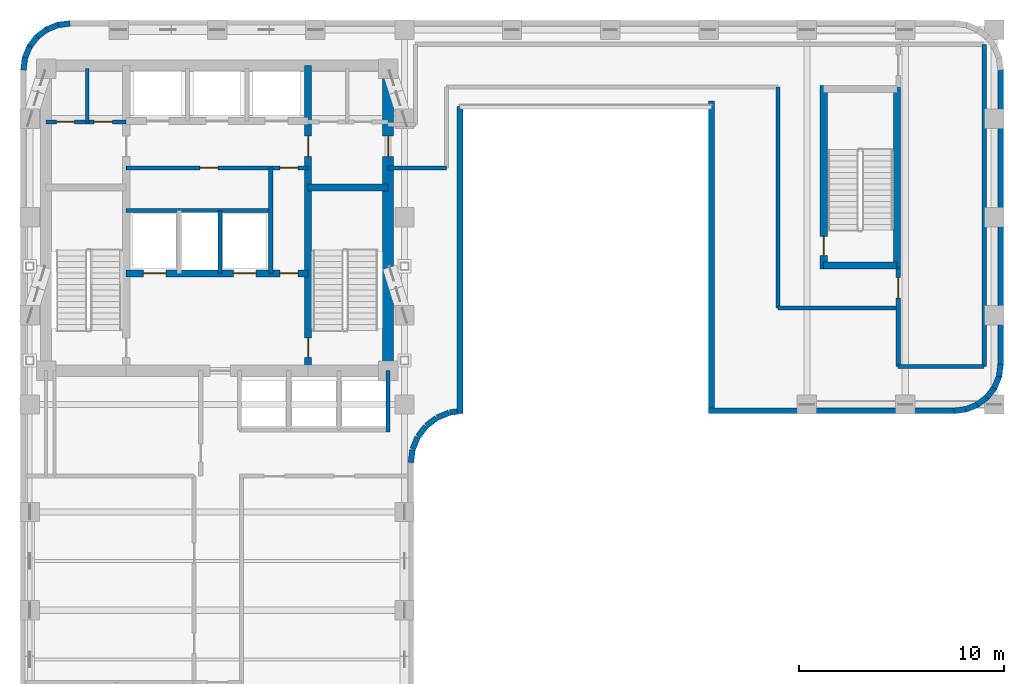
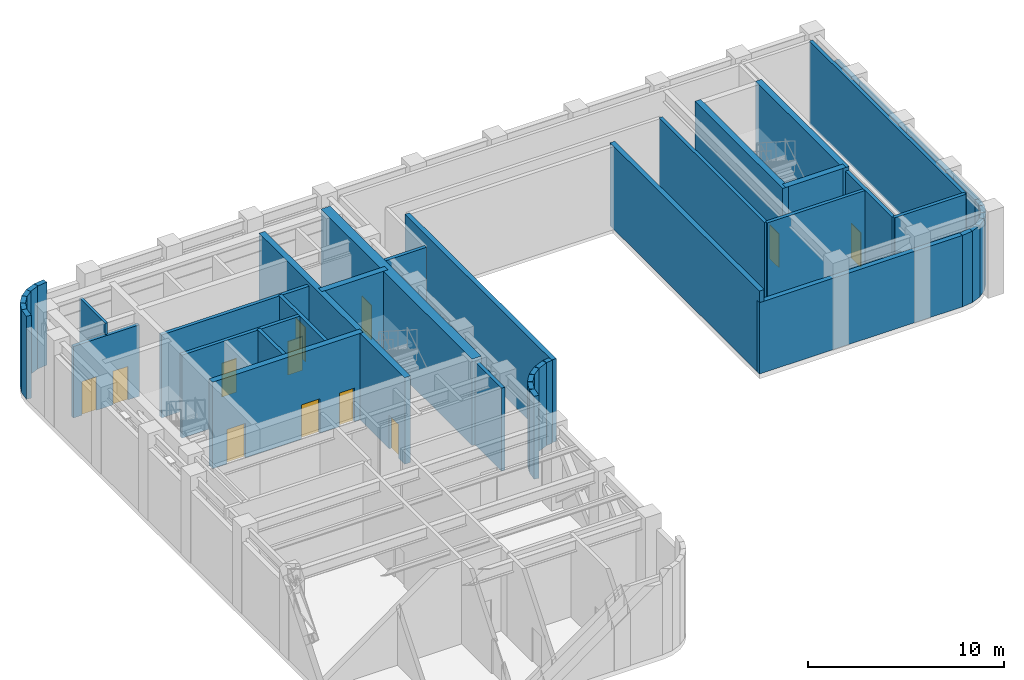
# One storey, part 6 of 9: 42 walls, 12 doors, 12 openings.
"""IFC4 building model written with IfcOpenShell, lengths in metres."""

from ifc_helpers import new_model, si_unit, direction, frame, frame_2d, origin, place, context, subcontext, project, spatial, rectangle, extrude, material, layer, layer_set, type_object, element, fill, save


model = new_model("IFC4")

# Units and contexts
model_context = context("Model", 3, precision=1e-05, world=origin(), true_north=direction((0.0, 1.0)))
body_context = subcontext(model_context, "Body", "Model", "MODEL_VIEW")
ifc_project = project(units=[si_unit("LENGTHUNIT", "METRE"), si_unit("AREAUNIT", "SQUARE_METRE"), si_unit("VOLUMEUNIT", "CUBIC_METRE"), si_unit("PLANEANGLEUNIT", "RADIAN"), si_unit("MASSUNIT", "GRAM", prefix="KILO")], contexts=[model_context])

# Site, building, storey
site_placement = place(None, origin())
site = spatial("IfcSite", under=ifc_project, at=site_placement, CompositionType="ELEMENT")
building_placement = place(site_placement, origin())
building = spatial("IfcBuilding", under=site, at=building_placement, Name="Orvandelia Arch Residences", CompositionType="ELEMENT")
storey_placement = place(building_placement, frame((0.0, 0.0, 198.39990234375)))
storey = spatial("IfcBuildingStorey", under=building, at=storey_placement, Name="L52", CompositionType="ELEMENT", Elevation=198.39990234375)

# Wall, openings, doors
ifc_material_1 = material(Name="Concrete C50/60", Category="concrete")
ifc_layer_1 = layer(ifc_material_1, 0.35009765625, Name="Concrete C50/60", Category="concrete")
ifc_layer_set_1 = layer_set([ifc_layer_1], Name="Concrete C50/60")
wall_type_1 = type_object("IfcWallType", Name="WL-CORE-350", PredefinedType="SHEAR", material=ifc_layer_set_1)
wall_1_placement = place(storey_placement, frame((18.840087890625, 30.89990234375, 0.0), z_axis=(0.0, 0.0, 1.0), x_axis=(0.0, 1.0, 0.0)))
wall_1 = element("IfcWall", 1, at=wall_1_placement, inside=storey, type_object=wall_type_1, Name="Core Shear Wall L52-WEB2", PredefinedType="SHEAR", context=body_context, shape_type="SweptSolid", body=[
    extrude(rectangle(XDim=14.900146484375, YDim=0.35009765625, at=frame_2d((7.4501953125, 0.0))), origin(), (0.0, 0.0, 1.0), 5.400146484375),
])
opening_1_placement = place(wall_1_placement, frame((0.64990234375, 0.0, 0.0)))
opening_1 = element("IfcOpeningElement", 2, at=opening_1_placement, cuts=wall_1, Name="Opening D7", PredefinedType="OPENING", context=body_context, shape_type="SweptSolid", body=[
    extrude(rectangle(XDim=0.949951171875, YDim=2.10009765625, at=frame_2d((0.47509765625, 1.050048828125))), frame((0.0, 0.18505859375, 0.0), z_axis=(0.0, -1.0, 0.0), x_axis=(1.0, 0.0, 0.0)), (0.0, 0.0, 1.0), 0.3701171875),
])
opening_2_placement = place(wall_1_placement, frame((10.449951171875, 0.0, 0.0)))
opening_2 = element("IfcOpeningElement", 3, at=opening_2_placement, cuts=wall_1, Name="Opening D6", PredefinedType="OPENING", context=body_context, shape_type="SweptSolid", body=[
    extrude(rectangle(XDim=1.0, YDim=2.14990234375, at=frame_2d((0.5, 1.074951171875))), frame((0.0, 0.18505859375, 0.0), z_axis=(0.0, -1.0, 0.0), x_axis=(1.0, 0.0, 0.0)), (0.0, 0.0, 1.0), 0.3701171875),
])
ifc_material_2 = material(Name="Smokeproof Painted Steel Fire Door", Category="steel")
door_type_1 = type_object("IfcDoorType", Name="DR-FD60-1000", OperationType="NOTDEFINED", PredefinedType="DOOR", material=ifc_material_2)
door_1_placement = place(opening_2_placement, origin())
door_1 = element("IfcDoor", 4, at=door_1_placement, inside=storey, type_object=door_type_1, Name="High-Rise Lift Hall East Vestibule Door L52", OperationType="SINGLE_SWING_RIGHT", OverallHeight=2.14990234375, OverallWidth=1.0, PredefinedType="DOOR", context=body_context, shape_type="SweptSolid", body=[
    extrude(rectangle(XDim=1.0, YDim=2.14990234375, at=frame_2d((0.5, 1.074951171875))), frame((0.0, 0.02490234375, 0.0), z_axis=(0.0, -1.0, 0.0), x_axis=(1.0, 0.0, 0.0)), (0.0, 0.0, 1.0), 0.050048828125),
])
fill(opening_2, door_1)
ifc_material_3 = material(Name="Pressurised Stairwell Fire Door")
door_type_2 = type_object("IfcDoorType", Name="DR-STAIR-950", OperationType="NOTDEFINED", PredefinedType="DOOR", material=ifc_material_3)
door_2_placement = place(opening_1_placement, origin())
door_2 = element("IfcDoor", 5, at=door_2_placement, inside=storey, type_object=door_type_2, Name="Stairwell ST-2 Fire Door L52", OperationType="SINGLE_SWING_RIGHT", OverallHeight=2.10009765625, OverallWidth=0.949951171875, PredefinedType="DOOR", context=body_context, shape_type="SweptSolid", body=[
    extrude(rectangle(XDim=0.949951171875, YDim=2.10009765625, at=frame_2d((0.47509765625, 1.050048828125))), frame((0.0, 0.02490234375, 0.0), z_axis=(0.0, -1.0, 0.0), x_axis=(1.0, 0.0, 0.0)), (0.0, 0.0, 1.0), 0.050048828125),
])
fill(opening_1, door_2)

# Wall
wall_2_placement = place(storey_placement, frame((18.840087890625, 39.85009765625, 0.0), z_axis=(0.0, 0.0, 1.0), x_axis=(1.0, 0.0, 0.0)))
element("IfcWall", 6, at=wall_2_placement, inside=storey, type_object=wall_type_1, Name="Core Shear Wall L52-HZ2", PredefinedType="SHEAR", context=body_context, shape_type="SweptSolid", body=[
    extrude(rectangle(XDim=3.909912109375, YDim=0.35009765625, at=frame_2d((1.955078125, 0.0))), origin(), (0.0, 0.0, 1.0), 5.400146484375),
])

# Wall, openings, doors
wall_3_placement = place(storey_placement, frame((9.9599609375, 35.64990234375, 0.0), z_axis=(0.0, 0.0, 1.0), x_axis=(1.0, 0.0, 0.0)))
wall_3 = element("IfcWall", 7, at=wall_3_placement, inside=storey, type_object=wall_type_1, Name="Core Shear Wall L52-HZ3", PredefinedType="SHEAR", context=body_context, shape_type="SweptSolid", body=[
    extrude(rectangle(XDim=8.880126953125, YDim=0.35009765625, at=frame_2d((4.43994140625, 0.0))), origin(), (0.0, 0.0, 1.0), 5.400146484375),
])
opening_3_placement = place(wall_3_placement, frame((0.840087890625, 0.0, 0.0)))
opening_3 = element("IfcOpeningElement", 8, at=opening_3_placement, cuts=wall_3, Name="Opening FLD", PredefinedType="OPENING", context=body_context, shape_type="SweptSolid", body=[
    extrude(rectangle(XDim=1.10009765625, YDim=2.14990234375, at=frame_2d((0.550048828125, 1.074951171875))), frame((0.0, 0.18505859375, 0.0), z_axis=(0.0, -1.0, 0.0), x_axis=(1.0, 0.0, 0.0)), (0.0, 0.0, 1.0), 0.3701171875),
])
opening_4_placement = place(wall_3_placement, frame((5.239990234375, 0.0, 0.0)))
opening_4 = element("IfcOpeningElement", 9, at=opening_4_placement, cuts=wall_3, Name="Opening FLD", PredefinedType="OPENING", context=body_context, shape_type="SweptSolid", body=[
    extrude(rectangle(XDim=1.10009765625, YDim=2.14990234375, at=frame_2d((0.550048828125, 1.074951171875))), frame((0.0, 0.18505859375, 0.0), z_axis=(0.0, -1.0, 0.0), x_axis=(1.0, 0.0, 0.0)), (0.0, 0.0, 1.0), 0.3701171875),
])
opening_5_placement = place(wall_3_placement, frame((7.5, 0.0, 0.0)))
opening_5 = element("IfcOpeningElement", 10, at=opening_5_placement, cuts=wall_3, Name="Opening D5", PredefinedType="OPENING", context=body_context, shape_type="SweptSolid", body=[
    extrude(rectangle(XDim=0.8798828125, YDim=2.10009765625, at=frame_2d((0.43994140625, 1.050048828125))), frame((0.0, 0.18505859375, 0.0), z_axis=(0.0, -1.0, 0.0), x_axis=(1.0, 0.0, 0.0)), (0.0, 0.0, 1.0), 0.3701171875),
])
ifc_material_4 = material(Name="Firefighting Lift Stainless Sliding Door")
door_type_3 = type_object("IfcDoorType", Name="DR-FLFT-1100", OperationType="NOTDEFINED", PredefinedType="DOOR", material=ifc_material_4)
door_3_placement = place(opening_3_placement, origin())
door_3 = element("IfcDoor", 11, at=door_3_placement, inside=storey, type_object=door_type_3, Name="Firefighting Lift Landing Door FLD-FL1-L52", OperationType="SLIDING_TO_LEFT", OverallHeight=2.14990234375, OverallWidth=1.10009765625, PredefinedType="DOOR", context=body_context, shape_type="SweptSolid", body=[
    extrude(rectangle(XDim=1.10009765625, YDim=2.14990234375, at=frame_2d((0.550048828125, 1.074951171875))), frame((0.0, 0.02490234375, 0.0), z_axis=(0.0, -1.0, 0.0), x_axis=(1.0, 0.0, 0.0)), (0.0, 0.0, 1.0), 0.050048828125),
])
fill(opening_3, door_3)
door_4_placement = place(opening_4_placement, origin())
door_4 = element("IfcDoor", 12, at=door_4_placement, inside=storey, type_object=door_type_3, Name="Firefighting Lift Landing Door FLD-FL2-L52", OperationType="SLIDING_TO_RIGHT", OverallHeight=2.14990234375, OverallWidth=1.10009765625, PredefinedType="DOOR", context=body_context, shape_type="SweptSolid", body=[
    extrude(rectangle(XDim=1.10009765625, YDim=2.14990234375, at=frame_2d((0.550048828125, 1.074951171875))), frame((0.0, 0.02490234375, 0.0), z_axis=(0.0, -1.0, 0.0), x_axis=(1.0, 0.0, 0.0)), (0.0, 0.0, 1.0), 0.050048828125),
])
fill(opening_4, door_4)
ifc_material_5 = material(Name="Painted Galvanised Steel Service Door", Category="steel")
door_type_4 = type_object("IfcDoorType", Name="DR-SRV-880", OperationType="NOTDEFINED", PredefinedType="DOOR", material=ifc_material_5)
door_5_placement = place(opening_5_placement, origin())
door_5 = element("IfcDoor", 13, at=door_5_placement, inside=storey, type_object=door_type_4, Name="Core Stairway Passage South Fire Door L52", OperationType="SINGLE_SWING_LEFT", OverallHeight=2.10009765625, OverallWidth=0.8798828125, PredefinedType="DOOR", context=body_context, shape_type="SweptSolid", body=[
    extrude(rectangle(XDim=0.8798828125, YDim=2.10009765625, at=frame_2d((0.43994140625, 1.050048828125))), frame((0.0, 0.02490234375, 0.0), z_axis=(0.0, -1.0, 0.0), x_axis=(1.0, 0.0, 0.0)), (0.0, 0.0, 1.0), 0.050048828125),
])
fill(opening_5, door_5)

# Wall, opening, door
wall_4_placement = place(storey_placement, frame((44.02001953125, 35.864990234375, 0.0), z_axis=(0.0, 0.0, 1.0), x_axis=(0.0, 1.0, 0.0)))
wall_4 = element("IfcWall", 14, at=wall_4_placement, inside=storey, type_object=wall_type_1, Name="East Stair Core Shear Wall L52-W", PredefinedType="SHEAR", context=body_context, shape_type="SweptSolid", body=[
    extrude(rectangle(XDim=8.969970703125, YDim=0.35009765625, at=frame_2d((4.48486328125, 0.0))), origin(), (0.0, 0.0, 1.0), 5.400146484375),
])
opening_6_placement = place(wall_4_placement, frame((0.64990234375, 0.0, 0.0)))
opening_6 = element("IfcOpeningElement", 15, at=opening_6_placement, cuts=wall_4, Name="Opening D7", PredefinedType="OPENING", context=body_context, shape_type="SweptSolid", body=[
    extrude(rectangle(XDim=0.949951171875, YDim=2.10009765625, at=frame_2d((0.47509765625, 1.050048828125))), frame((0.0, 0.18505859375, 0.0), z_axis=(0.0, -1.0, 0.0), x_axis=(1.0, 0.0, 0.0)), (0.0, 0.0, 1.0), 0.3701171875),
])
door_6_placement = place(opening_6_placement, origin())
door_6 = element("IfcDoor", 16, at=door_6_placement, inside=storey, type_object=door_type_2, Name="East Stairwell ST-3 Fire Door L52", OperationType="SINGLE_SWING_LEFT", OverallHeight=2.10009765625, OverallWidth=0.949951171875, PredefinedType="DOOR", context=body_context, shape_type="SweptSolid", body=[
    extrude(rectangle(XDim=0.949951171875, YDim=2.10009765625, at=frame_2d((0.47509765625, 1.050048828125))), frame((0.0, 0.02490234375, 0.0), z_axis=(0.0, -1.0, 0.0), x_axis=(1.0, 0.0, 0.0)), (0.0, 0.0, 1.0), 0.050048828125),
])
fill(opening_6, door_6)

# Walls
wall_5_placement = place(storey_placement, frame((47.60009765625, 35.864990234375, 0.0), z_axis=(0.0, 0.0, 1.0), x_axis=(0.0, 1.0, 0.0)))
element("IfcWall", 17, at=wall_5_placement, inside=storey, type_object=wall_type_1, Name="East Stair Core Shear Wall L52-E", PredefinedType="SHEAR", context=body_context, shape_type="SweptSolid", body=[
    extrude(rectangle(XDim=8.969970703125, YDim=0.35009765625, at=frame_2d((4.48486328125, 0.0))), origin(), (0.0, 0.0, 1.0), 5.400146484375),
])
wall_6_placement = place(storey_placement, frame((44.02001953125, 36.0400390625, 0.0), z_axis=(0.0, 0.0, 1.0), x_axis=(1.0, 0.0, 0.0)))
element("IfcWall", 18, at=wall_6_placement, inside=storey, type_object=wall_type_1, Name="East Stair Core Shear Wall L52-S", PredefinedType="SHEAR", context=body_context, shape_type="SweptSolid", body=[
    extrude(rectangle(XDim=3.580078125, YDim=0.35009765625, at=frame_2d((1.7900390625, 0.0))), origin(), (0.0, 0.0, 1.0), 5.400146484375),
])

# Wall, opening, door
ifc_material_6 = material(Name="Concrete C60/75", Category="concrete")
ifc_layer_2 = layer(ifc_material_6, 0.550048828125, Name="Concrete C60/75", Category="concrete")
ifc_layer_set_2 = layer_set([ifc_layer_2], Name="Concrete C60/75")
wall_type_2 = type_object("IfcWallType", Name="WL-CORE-550", PredefinedType="SHEAR", material=ifc_layer_set_2)
wall_7_placement = place(storey_placement, frame((22.75, 30.625, 0.0), z_axis=(0.0, 0.0, 1.0), x_axis=(0.0, 1.0, 0.0)))
wall_7 = element("IfcWall", 19, at=wall_7_placement, inside=storey, type_object=wall_type_2, Name="Core Shear Wall L52-E", PredefinedType="SHEAR", context=body_context, shape_type="SweptSolid", body=[
    extrude(rectangle(XDim=15.449951171875, YDim=0.550048828125, at=frame_2d((7.72509765625, 0.0))), origin(), (0.0, 0.0, 1.0), 5.400146484375),
])
opening_7_placement = place(wall_7_placement, frame((10.72509765625, 0.0, 0.0)))
opening_7 = element("IfcOpeningElement", 20, at=opening_7_placement, cuts=wall_7, Name="Opening D6", PredefinedType="OPENING", context=body_context, shape_type="SweptSolid", body=[
    extrude(rectangle(XDim=1.0, YDim=2.14990234375, at=frame_2d((0.5, 1.074951171875))), frame((0.0, 0.28515625, 0.0), z_axis=(0.0, -1.0, 0.0), x_axis=(1.0, 0.0, 0.0)), (0.0, 0.0, 1.0), 0.570068359375),
])
door_7_placement = place(opening_7_placement, origin())
door_7 = element("IfcDoor", 21, at=door_7_placement, inside=storey, type_object=door_type_1, Name="Core East Corridor Link Door L52", OperationType="SINGLE_SWING_LEFT", OverallHeight=2.14990234375, OverallWidth=1.0, PredefinedType="DOOR", context=body_context, shape_type="SweptSolid", body=[
    extrude(rectangle(XDim=1.0, YDim=2.14990234375, at=frame_2d((0.5, 1.074951171875))), frame((0.0, 0.02490234375, 0.0), z_axis=(0.0, -1.0, 0.0), x_axis=(1.0, 0.0, 0.0)), (0.0, 0.0, 1.0), 0.050048828125),
])
fill(opening_7, door_7)

# Walls
ifc_material_7 = material(Name="Fire-Rated Corridor Partition")
ifc_layer_3 = layer(ifc_material_7, 0.199951171875, Name="Fire-Rated Corridor Partition")
ifc_layer_set_3 = layer_set([ifc_layer_3], Name="Fire-Rated Corridor Partition")
wall_type_3 = type_object("IfcWallType", Name="WL-CORR-200", PredefinedType="PARTITIONING", material=ifc_layer_set_3)
wall_8_placement = place(storey_placement, frame((22.75, 40.800048828125, 0.0), z_axis=(0.0, 0.0, 1.0), x_axis=(1.0, 0.0, 0.0)))
element("IfcWall", 22, at=wall_8_placement, inside=storey, type_object=wall_type_3, Name="Interior Partition Wall WL-L52-ERL-KS", PredefinedType="PARTITIONING", context=body_context, shape_type="SweptSolid", body=[
    extrude(rectangle(XDim=2.85009765625, YDim=0.199951171875, at=frame_2d((1.425048828125, 0.0))), origin(), (0.0, 0.0, 1.0), 5.18017578125),
])
wall_9_placement = place(storey_placement, frame((41.780029296875, 33.9599609375, 0.0), z_axis=(0.0, 0.0, 1.0), x_axis=(0.0, 1.0, 0.0)))
element("IfcWall", 23, at=wall_9_placement, inside=storey, type_object=wall_type_3, Name="Interior Partition Wall WL-L52-ERL-SW", PredefinedType="PARTITIONING", context=body_context, shape_type="SweptSolid", body=[
    extrude(rectangle(XDim=10.800048828125, YDim=0.199951171875, at=frame_2d((5.39990234375, 0.0))), origin(), (0.0, 0.0, 1.0), 5.18017578125),
])
wall_10_placement = place(storey_placement, frame((41.780029296875, 33.9599609375, 0.0), z_axis=(0.0, 0.0, 1.0), x_axis=(1.0, 0.0, 0.0)))
element("IfcWall", 24, at=wall_10_placement, inside=storey, type_object=wall_type_3, Name="Interior Partition Wall WL-L52-ERL-SS", PredefinedType="PARTITIONING", context=body_context, shape_type="SweptSolid", body=[
    extrude(rectangle(XDim=5.8798828125, YDim=0.199951171875, at=frame_2d((2.93994140625, 0.0))), origin(), (0.0, 0.0, 1.0), 5.18017578125),
])

# Wall, opening, door
wall_11_placement = place(storey_placement, frame((47.659912109375, 31.10009765625, 0.0), z_axis=(0.0, 0.0, 1.0), x_axis=(0.0, 1.0, 0.0)))
wall_11 = element("IfcWall", 25, at=wall_11_placement, inside=storey, type_object=wall_type_3, Name="Interior Partition Wall WL-L52-EREF-W2", PredefinedType="PARTITIONING", context=body_context, shape_type="SweptSolid", body=[
    extrude(rectangle(XDim=4.81982421875, YDim=0.199951171875, at=frame_2d((2.409912109375, 0.0))), origin(), (0.0, 0.0, 1.0), 5.18017578125),
])
opening_8_placement = place(wall_11_placement, frame((3.35009765625, 0.0, 0.0)))
opening_8 = element("IfcOpeningElement", 26, at=opening_8_placement, cuts=wall_11, Name="Opening D6", PredefinedType="OPENING", context=body_context, shape_type="SweptSolid", body=[
    extrude(rectangle(XDim=1.0, YDim=2.14990234375, at=frame_2d((0.5, 1.074951171875))), frame((0.0, 0.10986328125, 0.0), z_axis=(0.0, -1.0, 0.0), x_axis=(1.0, 0.0, 0.0)), (0.0, 0.0, 1.0), 0.219970703125),
])
door_8_placement = place(opening_8_placement, origin())
door_8 = element("IfcDoor", 27, at=door_8_placement, inside=storey, type_object=door_type_1, Name="East Refuge Safety Zone South Fire Door L52", OperationType="SINGLE_SWING_RIGHT", OverallHeight=2.14990234375, OverallWidth=1.0, PredefinedType="DOOR", context=body_context, shape_type="SweptSolid", body=[
    extrude(rectangle(XDim=1.0, YDim=2.14990234375, at=frame_2d((0.5, 1.074951171875))), frame((0.0, 0.02490234375, 0.0), z_axis=(0.0, -1.0, 0.0), x_axis=(1.0, 0.0, 0.0)), (0.0, 0.0, 1.0), 0.050048828125),
])
fill(opening_8, door_8)

# Walls
wall_12_placement = place(storey_placement, frame((51.860107421875, 31.10009765625, 0.0), z_axis=(0.0, 0.0, 1.0), x_axis=(0.0, 1.0, 0.0)))
element("IfcWall", 28, at=wall_12_placement, inside=storey, type_object=wall_type_3, Name="Interior Partition Wall WL-L52-EREF-E", PredefinedType="PARTITIONING", context=body_context, shape_type="SweptSolid", body=[
    extrude(rectangle(XDim=15.739990234375, YDim=0.199951171875, at=frame_2d((7.8701171875, 0.0))), origin(), (0.0, 0.0, 1.0), 5.18017578125),
])
wall_13_placement = place(storey_placement, frame((47.659912109375, 31.10009765625, 0.0), z_axis=(0.0, 0.0, 1.0), x_axis=(1.0, 0.0, 0.0)))
element("IfcWall", 29, at=wall_13_placement, inside=storey, type_object=wall_type_3, Name="Interior Partition Wall WL-L52-EREF-S", PredefinedType="PARTITIONING", context=body_context, shape_type="SweptSolid", body=[
    extrude(rectangle(XDim=4.2001953125, YDim=0.199951171875, at=frame_2d((2.10009765625, 0.0))), origin(), (0.0, 0.0, 1.0), 5.18017578125),
])
ifc_material_8 = material(Name="Precast concrete C40/50", Category="concrete")
ifc_layer_4 = layer(ifc_material_8, 0.280029296875, Name="Precast concrete C40/50", Category="concrete")
ifc_layer_set_4 = layer_set([ifc_layer_4], Name="Precast concrete C40/50")
wall_type_4 = type_object("IfcWallType", Name="WL-EXT-STONE-280", PredefinedType="STANDARD", material=ifc_layer_set_4)
for number, where, z_axis, x_axis, name in (
    (30, (4.938720703125, 45.581787109375, 0.0), (0.0, 0.0, 1.0), (0.130555323746, 0.9914410257, 0.0), "Coral-Limestone Precast Facade Wall L52-001"),
    (31, (5.010986328125, 46.16748046875, 0.0), (0.0, 0.0, 1.0), (0.382650053678, 0.92389335771, 0.0), "Coral-Limestone Precast Facade Wall L52-002"),
    (32, (5.232666015625, 46.71484375, 0.0), (0.0, 0.0, 1.0), (0.608693302629, 0.793405610854, 0.0), "Coral-Limestone Precast Facade Wall L52-003"),
    (33, (5.588134765625, 47.18603515625, 0.0), (0.0, 0.0, 1.0), (0.793405610854, 0.608693302629, 0.0), "Coral-Limestone Precast Facade Wall L52-004"),
):
    element("IfcWall", number, at=place(storey_placement, frame(where, z_axis=z_axis, x_axis=x_axis)), inside=storey, type_object=wall_type_4, Name=name, PredefinedType="STANDARD", context=body_context, shape_type="SweptSolid", body=[
        extrude(rectangle(XDim=0.62646484375, YDim=0.280029296875, at=frame_2d((0.313232421875, 0.0))), origin(), (0.0, 0.0, 1.0), 5.18017578125),
    ])
wall_14_placement = place(storey_placement, frame((6.0537109375, 47.54931640625, 0.0), z_axis=(0.0, 0.0, 1.0), x_axis=(0.923974080304, 0.382455093999, 0.0)))
element("IfcWall", 34, at=wall_14_placement, inside=storey, type_object=wall_type_4, Name="Coral-Limestone Precast Facade Wall L52-005", PredefinedType="STANDARD", context=body_context, shape_type="SweptSolid", body=[
    extrude(rectangle(XDim=0.626220703125, YDim=0.280029296875, at=frame_2d((0.31298828125, 0.0))), origin(), (0.0, 0.0, 1.0), 5.18017578125),
])
wall_15_placement = place(storey_placement, frame((6.59716796875, 47.779296875, 0.0), z_axis=(0.0, 0.0, 1.0), x_axis=(0.9914410257, 0.130555323746, 0.0)))
element("IfcWall", 35, at=wall_15_placement, inside=storey, type_object=wall_type_4, Name="Coral-Limestone Precast Facade Wall L52-006", PredefinedType="STANDARD", context=body_context, shape_type="SweptSolid", body=[
    extrude(rectangle(XDim=0.62646484375, YDim=0.280029296875, at=frame_2d((0.313232421875, 0.0))), origin(), (0.0, 0.0, 1.0), 5.18017578125),
])
wall_16_placement = place(storey_placement, frame((52.659912109375, 45.60009765625, 0.0), z_axis=(0.0, 0.0, 1.0), x_axis=(0.0, -1.0, 0.0)))
element("IfcWall", 36, at=wall_16_placement, inside=storey, type_object=wall_type_4, Name="Coral-Limestone Precast Facade Wall L52-014", PredefinedType="STANDARD", context=body_context, shape_type="SweptSolid", body=[
    extrude(rectangle(XDim=14.400146484375, YDim=0.280029296875, at=frame_2d((7.2001953125, 0.0))), origin(), (0.0, 0.0, 1.0), 4.460205078125),
])
wall_17_placement = place(storey_placement, frame((52.6611328125, 31.21826171875, 0.0), z_axis=(0.0, 0.0, 1.0), x_axis=(-0.130555323746, -0.9914410257, 0.0)))
element("IfcWall", 37, at=wall_17_placement, inside=storey, type_object=wall_type_4, Name="Coral-Limestone Precast Facade Wall L52-015", PredefinedType="STANDARD", context=body_context, shape_type="SweptSolid", body=[
    extrude(rectangle(XDim=0.62646484375, YDim=0.280029296875, at=frame_2d((0.313232421875, 0.0))), origin(), (0.0, 0.0, 1.0), 4.460205078125),
])
wall_18_placement = place(storey_placement, frame((52.5888671875, 30.63232421875, 0.0), z_axis=(0.0, 0.0, 1.0), x_axis=(-0.382787856107, -0.923836271867, 0.0)))
element("IfcWall", 38, at=wall_18_placement, inside=storey, type_object=wall_type_4, Name="Coral-Limestone Precast Facade Wall L52-016", PredefinedType="STANDARD", context=body_context, shape_type="SweptSolid", body=[
    extrude(rectangle(XDim=0.626220703125, YDim=0.280029296875, at=frame_2d((0.31298828125, 0.0))), origin(), (0.0, 0.0, 1.0), 4.460205078125),
])
for number, where, z_axis, x_axis, name in (
    (39, (52.367431640625, 30.085205078125, 0.0), (0.0, 0.0, 1.0), (-0.608693302629, -0.793405610854, 0.0), "Coral-Limestone Precast Facade Wall L52-017"),
    (40, (52.011962890625, 29.614013671875, 0.0), (0.0, 0.0, 1.0), (-0.793405610854, -0.608693302629, 0.0), "Coral-Limestone Precast Facade Wall L52-018"),
    (41, (51.54638671875, 29.250732421875, 0.0), (0.0, 0.0, 1.0), (-0.92389335771, -0.382650053678, 0.0), "Coral-Limestone Precast Facade Wall L52-019"),
):
    element("IfcWall", number, at=place(storey_placement, frame(where, z_axis=z_axis, x_axis=x_axis)), inside=storey, type_object=wall_type_4, Name=name, PredefinedType="STANDARD", context=body_context, shape_type="SweptSolid", body=[
        extrude(rectangle(XDim=0.62646484375, YDim=0.280029296875, at=frame_2d((0.313232421875, 0.0))), origin(), (0.0, 0.0, 1.0), 4.460205078125),
    ])
wall_19_placement = place(storey_placement, frame((51.0029296875, 29.0205078125, 0.0), z_axis=(0.0, 0.0, 1.0), x_axis=(-0.991447664465, -0.130504898859, 0.0)))
element("IfcWall", 42, at=wall_19_placement, inside=storey, type_object=wall_type_4, Name="Coral-Limestone Precast Facade Wall L52-020", PredefinedType="STANDARD", context=body_context, shape_type="SweptSolid", body=[
    extrude(rectangle(XDim=0.626708984375, YDim=0.280029296875, at=frame_2d((0.3134765625, 0.0))), origin(), (0.0, 0.0, 1.0), 4.460205078125),
])
wall_20_placement = place(storey_placement, frame((50.39990234375, 28.93994140625, 0.0), z_axis=(0.0, 0.0, 1.0), x_axis=(-1.0, 0.0, 0.0)))
element("IfcWall", 43, at=wall_20_placement, inside=storey, type_object=wall_type_4, Name="Coral-Limestone Precast Facade Wall L52-021", PredefinedType="STANDARD", context=body_context, shape_type="SweptSolid", body=[
    extrude(rectangle(XDim=12.0, YDim=0.280029296875, at=frame_2d((6.0, 0.0))), origin(), (0.0, 0.0, 1.0), 4.460205078125),
])
wall_21_placement = place(storey_placement, frame((38.5400390625, 28.800048828125, 0.0), z_axis=(0.0, 0.0, 1.0), x_axis=(0.0, 1.0, 0.0)))
element("IfcWall", 44, at=wall_21_placement, inside=storey, type_object=wall_type_4, Name="Coral-Limestone Precast Facade Wall L52-022", PredefinedType="STANDARD", context=body_context, shape_type="SweptSolid", body=[
    extrude(rectangle(XDim=15.280029296875, YDim=0.280029296875, at=frame_2d((7.64013671875, 0.0))), origin(), (0.0, 0.0, 1.0), 5.18017578125),
])
wall_22_placement = place(storey_placement, frame((26.260009765625, 43.800048828125, 0.0), z_axis=(0.0, 0.0, 1.0), x_axis=(0.0, -1.0, 0.0)))
element("IfcWall", 45, at=wall_22_placement, inside=storey, type_object=wall_type_4, Name="Coral-Limestone Precast Facade Wall L52-023", PredefinedType="STANDARD", context=body_context, shape_type="SweptSolid", body=[
    extrude(rectangle(XDim=15.0, YDim=0.280029296875, at=frame_2d((7.5, 0.0))), origin(), (0.0, 0.0, 1.0), 5.18017578125),
])
wall_23_placement = place(storey_placement, frame((26.123779296875, 28.90478515625, 0.0), z_axis=(0.0, 0.0, 1.0), x_axis=(-0.991436143334, -0.130592395224, 0.0)))
element("IfcWall", 46, at=wall_23_placement, inside=storey, type_object=wall_type_4, Name="Coral-Limestone Precast Facade Wall L52-024", PredefinedType="STANDARD", context=body_context, shape_type="SweptSolid", body=[
    extrude(rectangle(XDim=0.366455078125, YDim=0.280029296875, at=frame_2d((0.18310546875, 0.0))), origin(), (0.0, 0.0, 1.0), 5.18017578125),
])
wall_24_placement = place(storey_placement, frame((25.72509765625, 28.847412109375, 0.0), z_axis=(0.0, 0.0, 1.0), x_axis=(-0.923974080304, -0.382455093999, 0.0)))
element("IfcWall", 47, at=wall_24_placement, inside=storey, type_object=wall_type_4, Name="Coral-Limestone Precast Facade Wall L52-025", PredefinedType="STANDARD", context=body_context, shape_type="SweptSolid", body=[
    extrude(rectangle(XDim=0.626220703125, YDim=0.280029296875, at=frame_2d((0.31298828125, 0.0))), origin(), (0.0, 0.0, 1.0), 5.18017578125),
])
for number, where, z_axis, x_axis, name in (
    (48, (25.11474609375, 28.589599609375, 0.0), (0.0, 0.0, 1.0), (-0.793405610854, -0.608693302629, 0.0), "Coral-Limestone Precast Facade Wall L52-026"),
    (49, (24.591796875, 28.182373046875, 0.0), (0.0, 0.0, 1.0), (-0.608693302629, -0.793405610854, 0.0), "Coral-Limestone Precast Facade Wall L52-027"),
    (50, (24.192138671875, 27.653564453125, 0.0), (0.0, 0.0, 1.0), (-0.382650053678, -0.92389335771, 0.0), "Coral-Limestone Precast Facade Wall L52-028"),
):
    element("IfcWall", number, at=place(storey_placement, frame(where, z_axis=z_axis, x_axis=x_axis)), inside=storey, type_object=wall_type_4, Name=name, PredefinedType="STANDARD", context=body_context, shape_type="SweptSolid", body=[
        extrude(rectangle(XDim=0.62646484375, YDim=0.280029296875, at=frame_2d((0.313232421875, 0.0))), origin(), (0.0, 0.0, 1.0), 5.18017578125),
    ])
wall_25_placement = place(storey_placement, frame((23.943115234375, 27.03955078125, 0.0), z_axis=(0.0, 0.0, 1.0), x_axis=(-0.130887801573, -0.991397187508, 0.0)))
element("IfcWall", 51, at=wall_25_placement, inside=storey, type_object=wall_type_4, Name="Coral-Limestone Precast Facade Wall L52-029", PredefinedType="STANDARD", context=body_context, shape_type="SweptSolid", body=[
    extrude(rectangle(XDim=0.626708984375, YDim=0.280029296875, at=frame_2d((0.3134765625, 0.0))), origin(), (0.0, 0.0, 1.0), 5.18017578125),
])
ifc_material_9 = material(Name="Acoustic Gypsum Stud Partition")
ifc_layer_5 = layer(ifc_material_9, 0.14990234375, Name="Acoustic Gypsum Stud Partition")
ifc_layer_set_5 = layer_set([ifc_layer_5], Name="Acoustic Gypsum Stud Partition")
wall_type_5 = type_object("IfcWallType", Name="WL-PART-150", PredefinedType="PARTITIONING", material=ifc_layer_set_5)
wall_26_placement = place(storey_placement, frame((8.06005859375, 43.050048828125, 0.0), z_axis=(0.0, 0.0, 1.0), x_axis=(0.0, 1.0, 0.0)))
element("IfcWall", 52, at=wall_26_placement, inside=storey, type_object=wall_type_5, Name="Interior Partition Wall WL-L52-CRELC-M", PredefinedType="PARTITIONING", context=body_context, shape_type="SweptSolid", body=[
    extrude(rectangle(XDim=2.599853515625, YDim=0.14990234375, at=frame_2d((1.2998046875, 0.0))), origin(), (0.0, 0.0, 1.0), 5.18017578125),
])
ifc_material_10 = material(Name="Fire-Rated Shaft Enclosure Wall")
ifc_layer_6 = layer(ifc_material_10, 0.199951171875, Name="Fire-Rated Shaft Enclosure Wall")
ifc_layer_set_6 = layer_set([ifc_layer_6], Name="Fire-Rated Shaft Enclosure Wall")
wall_type_6 = type_object("IfcWallType", Name="WL-SHAFT-200", PredefinedType="POLYGONAL", material=ifc_layer_set_6)
wall_27_placement = place(storey_placement, frame((9.9599609375, 38.719970703125, 0.0), z_axis=(0.0, 0.0, 1.0), x_axis=(1.0, 0.0, 0.0)))
element("IfcWall", 53, at=wall_27_placement, inside=storey, type_object=wall_type_6, Name="Interior Partition Wall WL-L52-FLN", PredefinedType="POLYGONAL", context=body_context, shape_type="SweptSolid", body=[
    extrude(rectangle(XDim=7.06005859375, YDim=0.199951171875, at=frame_2d((3.530029296875, 0.0))), origin(), (0.0, 0.0, 1.0), 5.18017578125),
])
wall_28_placement = place(storey_placement, frame((14.550048828125, 35.64990234375, 0.0), z_axis=(0.0, 0.0, 1.0), x_axis=(0.0, 1.0, 0.0)))
element("IfcWall", 54, at=wall_28_placement, inside=storey, type_object=wall_type_6, Name="Interior Partition Wall WL-L52-FLM2", PredefinedType="POLYGONAL", context=body_context, shape_type="SweptSolid", body=[
    extrude(rectangle(XDim=3.070068359375, YDim=0.199951171875, at=frame_2d((1.53515625, 0.0))), origin(), (0.0, 0.0, 1.0), 5.18017578125),
])
wall_29_placement = place(storey_placement, frame((17.02001953125, 35.64990234375, 0.0), z_axis=(0.0, 0.0, 1.0), x_axis=(0.0, 1.0, 0.0)))
element("IfcWall", 55, at=wall_29_placement, inside=storey, type_object=wall_type_6, Name="Interior Partition Wall WL-L52-FLM3", PredefinedType="POLYGONAL", context=body_context, shape_type="SweptSolid", body=[
    extrude(rectangle(XDim=5.150146484375, YDim=0.199951171875, at=frame_2d((2.5751953125, 0.0))), origin(), (0.0, 0.0, 1.0), 5.18017578125),
])

# Wall, openings, doors
wall_30_placement = place(storey_placement, frame((9.9599609375, 40.800048828125, 0.0), z_axis=(0.0, 0.0, 1.0), x_axis=(1.0, 0.0, 0.0)))
wall_30 = element("IfcWall", 56, at=wall_30_placement, inside=storey, type_object=wall_type_6, Name="Interior Partition Wall WL-L52-HLH-S", PredefinedType="POLYGONAL", context=body_context, shape_type="SweptSolid", body=[
    extrude(rectangle(XDim=8.880126953125, YDim=0.199951171875, at=frame_2d((4.43994140625, 0.0))), origin(), (0.0, 0.0, 1.0), 5.18017578125),
])
opening_9_placement = place(wall_30_placement, frame((7.5, 0.0, 0.0)))
opening_9 = element("IfcOpeningElement", 57, at=opening_9_placement, cuts=wall_30, Name="Opening D5", PredefinedType="OPENING", context=body_context, shape_type="SweptSolid", body=[
    extrude(rectangle(XDim=0.8798828125, YDim=2.10009765625, at=frame_2d((0.43994140625, 1.050048828125))), frame((0.0, 0.10986328125, 0.0), z_axis=(0.0, -1.0, 0.0), x_axis=(1.0, 0.0, 0.0)), (0.0, 0.0, 1.0), 0.219970703125),
])
opening_10_placement = place(wall_30_placement, frame((3.60009765625, 0.0, 0.0)))
opening_10 = element("IfcOpeningElement", 58, at=opening_10_placement, cuts=wall_30, Name="Opening D5", PredefinedType="OPENING", context=body_context, shape_type="SweptSolid", body=[
    extrude(rectangle(XDim=0.8798828125, YDim=2.10009765625, at=frame_2d((0.43994140625, 1.050048828125))), frame((0.0, 0.10986328125, 0.0), z_axis=(0.0, -1.0, 0.0), x_axis=(1.0, 0.0, 0.0)), (0.0, 0.0, 1.0), 0.219970703125),
])
door_9_placement = place(opening_9_placement, origin())
door_9 = element("IfcDoor", 59, at=door_9_placement, inside=storey, type_object=door_type_4, Name="Core Stairway Passage North Fire Door L52", OperationType="SINGLE_SWING_RIGHT", OverallHeight=2.10009765625, OverallWidth=0.8798828125, PredefinedType="DOOR", context=body_context, shape_type="SweptSolid", body=[
    extrude(rectangle(XDim=0.8798828125, YDim=2.10009765625, at=frame_2d((0.43994140625, 1.050048828125))), frame((0.0, 0.02490234375, 0.0), z_axis=(0.0, -1.0, 0.0), x_axis=(1.0, 0.0, 0.0)), (0.0, 0.0, 1.0), 0.050048828125),
])
fill(opening_9, door_9)
door_10_placement = place(opening_10_placement, origin())
door_10 = element("IfcDoor", 60, at=door_10_placement, inside=storey, type_object=door_type_4, Name="DR-L52-CSA1", OperationType="SINGLE_SWING_LEFT", OverallHeight=2.10009765625, OverallWidth=0.8798828125, PredefinedType="DOOR", context=body_context, shape_type="SweptSolid", body=[
    extrude(rectangle(XDim=0.8798828125, YDim=2.10009765625, at=frame_2d((0.43994140625, 1.050048828125))), frame((0.0, 0.02490234375, 0.0), z_axis=(0.0, -1.0, 0.0), x_axis=(1.0, 0.0, 0.0)), (0.0, 0.0, 1.0), 0.050048828125),
])
fill(opening_10, door_10)

wall_31_placement = place(storey_placement, frame((6.050048828125, 43.050048828125, 0.0), z_axis=(0.0, 0.0, 1.0), x_axis=(1.0, 0.0, 0.0)))
wall_31 = element("IfcWall", 61, at=wall_31_placement, inside=storey, type_object=wall_type_6, Name="Interior Partition Wall WL-L52-HLW-N", PredefinedType="POLYGONAL", context=body_context, shape_type="SweptSolid", body=[
    extrude(rectangle(XDim=3.909912109375, YDim=0.199951171875, at=frame_2d((1.955078125, 0.0))), origin(), (0.0, 0.0, 1.0), 4.460205078125),
])
opening_11_placement = place(wall_31_placement, frame((0.5, 0.0, 0.0)))
opening_11 = element("IfcOpeningElement", 62, at=opening_11_placement, cuts=wall_31, Name="Opening D5", PredefinedType="OPENING", context=body_context, shape_type="SweptSolid", body=[
    extrude(rectangle(XDim=0.8798828125, YDim=2.10009765625, at=frame_2d((0.43994140625, 1.050048828125))), frame((0.0, 0.10986328125, 0.0), z_axis=(0.0, -1.0, 0.0), x_axis=(1.0, 0.0, 0.0)), (0.0, 0.0, 1.0), 0.219970703125),
])
opening_12_placement = place(wall_31_placement, frame((2.35009765625, 0.0, 0.0)))
opening_12 = element("IfcOpeningElement", 63, at=opening_12_placement, cuts=wall_31, Name="Opening D5", PredefinedType="OPENING", context=body_context, shape_type="SweptSolid", body=[
    extrude(rectangle(XDim=0.8798828125, YDim=2.10009765625, at=frame_2d((0.43994140625, 1.050048828125))), frame((0.0, 0.10986328125, 0.0), z_axis=(0.0, -1.0, 0.0), x_axis=(1.0, 0.0, 0.0)), (0.0, 0.0, 1.0), 0.219970703125),
])
door_11_placement = place(opening_11_placement, origin())
door_11 = element("IfcDoor", 64, at=door_11_placement, inside=storey, type_object=door_type_4, Name="DR-L52-CRELC1", OperationType="SINGLE_SWING_LEFT", OverallHeight=2.10009765625, OverallWidth=0.8798828125, PredefinedType="DOOR", context=body_context, shape_type="SweptSolid", body=[
    extrude(rectangle(XDim=0.8798828125, YDim=2.10009765625, at=frame_2d((0.43994140625, 1.050048828125))), frame((0.0, 0.02490234375, 0.0), z_axis=(0.0, -1.0, 0.0), x_axis=(1.0, 0.0, 0.0)), (0.0, 0.0, 1.0), 0.050048828125),
])
fill(opening_11, door_11)
door_12_placement = place(opening_12_placement, origin())
door_12 = element("IfcDoor", 65, at=door_12_placement, inside=storey, type_object=door_type_4, Name="DR-L52-CRELC2", OperationType="SINGLE_SWING_RIGHT", OverallHeight=2.10009765625, OverallWidth=0.8798828125, PredefinedType="DOOR", context=body_context, shape_type="SweptSolid", body=[
    extrude(rectangle(XDim=0.8798828125, YDim=2.10009765625, at=frame_2d((0.43994140625, 1.050048828125))), frame((0.0, 0.02490234375, 0.0), z_axis=(0.0, -1.0, 0.0), x_axis=(1.0, 0.0, 0.0)), (0.0, 0.0, 1.0), 0.050048828125),
])
fill(opening_12, door_12)

# Wall
wall_32_placement = place(storey_placement, frame((22.75, 27.89990234375, 0.0), z_axis=(0.0, 0.0, 1.0), x_axis=(0.0, 1.0, 0.0)))
element("IfcWall", 66, at=wall_32_placement, inside=storey, type_object=wall_type_6, Name="Interior Partition Wall WL-L52-BNKM-E", PredefinedType="POLYGONAL", context=body_context, shape_type="SweptSolid", body=[
    extrude(rectangle(XDim=3.0, YDim=0.199951171875, at=frame_2d((1.5, 0.0))), origin(), (0.0, 0.0, 1.0), 5.18017578125),
])

save(model, "model.ifc")
